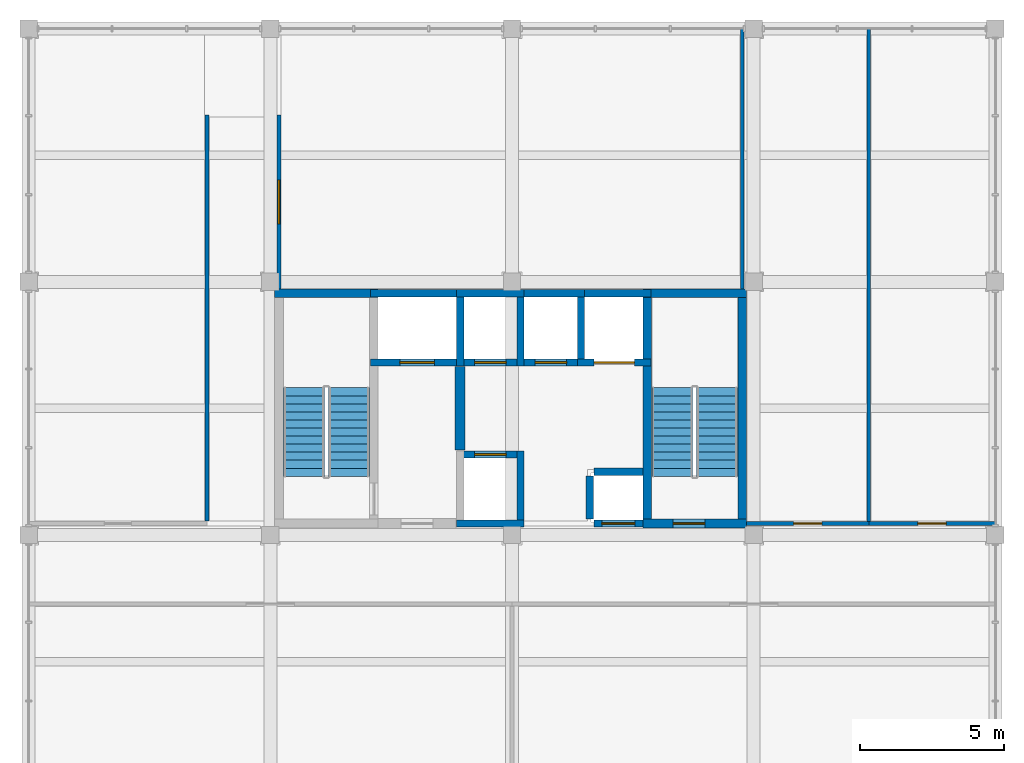
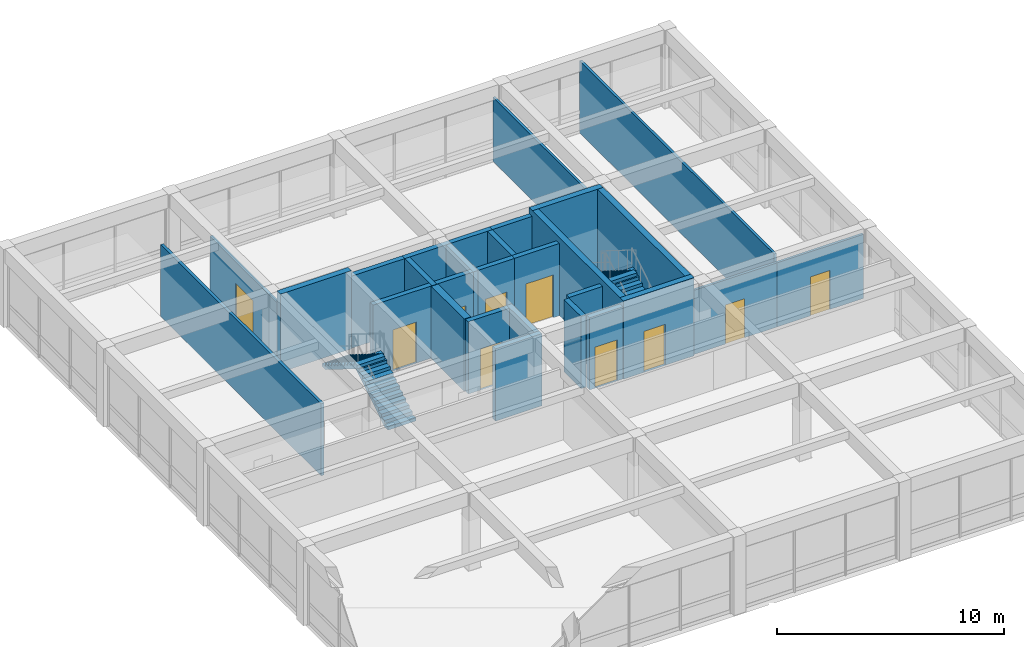
# One storey, part 10 of 14: 29 walls, 10 doors, 4 stair flights, 10 openings, 2 elements without a shape of their own.
"""IFC4 building model written with IfcOpenShell, lengths in metres."""

from ifc_helpers import new_model, si_unit, direction, frame, frame_2d, origin, place, context, subcontext, project, spatial, polyline, rectangle, outline, extrude, material, layer, layer_set, type_object, element, fill, aggregate, save


model = new_model("IFC4")

# Units and contexts
model_context = context("Model", 3, precision=1e-05, world=origin(), true_north=direction((0.0, 1.0)))
body_context = subcontext(model_context, "Body", "Model", "MODEL_VIEW")
ifc_project = project(units=[si_unit("LENGTHUNIT", "METRE"), si_unit("AREAUNIT", "SQUARE_METRE"), si_unit("VOLUMEUNIT", "CUBIC_METRE"), si_unit("PLANEANGLEUNIT", "RADIAN"), si_unit("MASSUNIT", "GRAM", prefix="KILO")], contexts=[model_context])

# Site, building, storey
site_placement = place(None, origin())
site = spatial("IfcSite", under=ifc_project, at=site_placement, CompositionType="ELEMENT")
building_placement = place(site_placement, origin())
building = spatial("IfcBuilding", under=site, at=building_placement, Name="Kemercrest Conservatory and Botanical Centre", CompositionType="ELEMENT")
storey_placement = place(building_placement, frame((0.0, 0.0, 63.800048828125)))
storey = spatial("IfcBuildingStorey", under=building, at=storey_placement, Name="L16", CompositionType="ELEMENT", Elevation=63.800048828125)

# Walls
ifc_material_1 = material(Name="Concrete C50/60", Category="concrete")
ifc_layer_1 = layer(ifc_material_1, 0.35009765625)
ifc_layer_set_1 = layer_set([ifc_layer_1], Name="Concrete C50/60")
wall_type_1 = type_object("IfcWallType", Name="CW-CORE", PredefinedType="SHEAR", material=ifc_layer_set_1)
wall_1_placement = place(storey_placement, frame((157.39990234375, 107.75, 0.0), z_axis=(0.0, 0.0, 1.0), x_axis=(0.0, 1.0, 0.0)))
element("IfcWall", 1, at=wall_1_placement, inside=storey, type_object=wall_type_1, Name="Firefighting lift lobby 2-hour separation shear wall", PredefinedType="SHEAR", context=body_context, shape_type="SweptSolid", body=[
    extrude(rectangle(XDim=2.89990234375, YDim=0.35009765625, at=frame_2d((1.449951171875, 0.0))), origin(), (0.0, 0.0, 1.0), 3.8798828125),
])
ifc_layer_2 = layer(ifc_material_1, 0.300048828125)
ifc_layer_set_2 = layer_set([ifc_layer_2], Name="Concrete C50/60")
wall_type_2 = type_object("IfcWallType", Name="CW-STAIR", PredefinedType="SHEAR", material=ifc_layer_set_2)
wall_2_placement = place(storey_placement, frame((150.949951171875, 113.199951171875, 0.0), z_axis=(0.0, 0.0, 1.0), x_axis=(1.0, 0.0, 0.0)))
element("IfcWall", 2, at=wall_2_placement, inside=storey, type_object=wall_type_2, Name="Stair core ST-V4A shear wall N", PredefinedType="SHEAR", context=body_context, shape_type="SweptSolid", body=[
    extrude(rectangle(XDim=3.60009765625, YDim=0.300048828125, at=frame_2d((1.800048828125, 0.0))), origin(), (0.0, 0.0, 1.0), 4.199951171875),
])

# Wall, opening, door
wall_3_placement = place(storey_placement, frame((163.75, 105.199951171875, 0.0), z_axis=(0.0, 0.0, 1.0), x_axis=(1.0, 0.0, 0.0)))
wall_3 = element("IfcWall", 3, at=wall_3_placement, inside=storey, type_object=wall_type_2, Name="Stair core ST-V4B shear wall S", PredefinedType="SHEAR", context=body_context, shape_type="SweptSolid", body=[
    extrude(rectangle(XDim=3.60009765625, YDim=0.300048828125, at=frame_2d((1.800048828125, 0.0))), origin(), (0.0, 0.0, 1.0), 4.199951171875),
])
opening_1_placement = place(wall_3_placement, frame((1.050048828125, 0.0, 0.0)))
opening_1 = element("IfcOpeningElement", 4, at=opening_1_placement, cuts=wall_3, Name="Opening D061", PredefinedType="OPENING", context=body_context, shape_type="SweptSolid", body=[
    extrude(rectangle(XDim=1.10009765625, YDim=2.199951171875, at=frame_2d((0.550048828125, 1.10009765625))), frame((0.0, 0.16015625, 0.0), z_axis=(0.0, -1.0, 0.0), x_axis=(1.0, 0.0, 0.0)), (0.0, 0.0, 1.0), 0.320068359375),
])
ifc_material_2 = material(Name="Powder-coated galvanized steel and fire-rated vision glass", Category="steel")
door_type_1 = type_object("IfcDoorType", Name="DT-FD90", OperationType="NOTDEFINED", PredefinedType="DOOR", material=ifc_material_2)
door_1_placement = place(opening_1_placement, origin())
door_1 = element("IfcDoor", 5, at=door_1_placement, inside=storey, type_object=door_type_1, Name="Exit stair ST-V4B fire door D061", OperationType="SINGLE_SWING_LEFT", OverallHeight=2.199951171875, OverallWidth=1.10009765625, PredefinedType="DOOR", context=body_context, shape_type="SweptSolid", body=[
    extrude(rectangle(XDim=1.10009765625, YDim=2.199951171875, at=frame_2d((0.550048828125, 1.10009765625))), frame((0.0, 0.02490234375, 0.0), z_axis=(0.0, -1.0, 0.0), x_axis=(1.0, 0.0, 0.0)), (0.0, 0.0, 1.0), 0.050048828125),
])
fill(opening_1, door_1)

# Walls
wall_4_placement = place(storey_placement, frame((163.75, 113.199951171875, 0.0), z_axis=(0.0, 0.0, 1.0), x_axis=(1.0, 0.0, 0.0)))
element("IfcWall", 6, at=wall_4_placement, inside=storey, type_object=wall_type_2, Name="Stair core ST-V4B shear wall N", PredefinedType="SHEAR", context=body_context, shape_type="SweptSolid", body=[
    extrude(rectangle(XDim=3.60009765625, YDim=0.300048828125, at=frame_2d((1.800048828125, 0.0))), origin(), (0.0, 0.0, 1.0), 4.199951171875),
])
for number, where, z_axis, x_axis, name in (
    (7, (163.89990234375, 105.050048828125, 0.0), (0.0, 0.0, 1.0), (0.0, 1.0, 0.0), "Stair core ST-V4B shear wall W"),
    (8, (167.199951171875, 105.050048828125, 0.0), (0.0, 0.0, 1.0), (0.0, 1.0, 0.0), "Stair core ST-V4B shear wall E"),
):
    element("IfcWall", number, at=place(storey_placement, frame(where, z_axis=z_axis, x_axis=x_axis)), inside=storey, type_object=wall_type_2, Name=name, PredefinedType="SHEAR", context=body_context, shape_type="SweptSolid", body=[
        extrude(rectangle(XDim=8.300048828125, YDim=0.300048828125, at=frame_2d((4.14990234375, 0.0))), origin(), (0.0, 0.0, 1.0), 4.199951171875),
    ])

# Wall, opening, door
ifc_material_3 = material(Name="Moisture-resistant gypsum board partition", Category="gypsum")
ifc_layer_3 = layer(ifc_material_3, 0.125)
ifc_layer_set_3 = layer_set([ifc_layer_3], Name="Moisture-resistant gypsum board partition")
wall_type_3 = type_object("IfcWallType", Name="W-PART125", PredefinedType="PARTITIONING", material=ifc_layer_set_3)
wall_5_placement = place(storey_placement, frame((167.35498046875, 105.199951171875, 0.0), z_axis=(0.0, 0.0, 1.0), x_axis=(1.0, 0.0, 0.0)))
wall_5 = element("IfcWall", 9, at=wall_5_placement, inside=storey, type_object=wall_type_3, Name="Interior partition W-PART125 #315", PredefinedType="PARTITIONING", context=body_context, shape_type="SweptSolid", body=[
    extrude(rectangle(XDim=4.2451171875, YDim=0.125, at=frame_2d((2.12255859375, 0.0))), origin(), (0.0, 0.0, 1.0), 3.445068359375),
])
opening_2_placement = place(wall_5_placement, frame((1.632568359375, 0.0, 0.0)))
opening_2 = element("IfcOpeningElement", 10, at=opening_2_placement, cuts=wall_5, Name="Opening D286", PredefinedType="OPENING", context=body_context, shape_type="SweptSolid", body=[
    extrude(rectangle(XDim=0.97998046875, YDim=2.10009765625, at=frame_2d((0.489990234375, 1.050048828125))), frame((0.0, 0.072509765625, 0.0), z_axis=(0.0, -1.0, 0.0), x_axis=(1.0, 0.0, 0.0)), (0.0, 0.0, 1.0), 0.14501953125),
])
ifc_material_4 = material(Name="FSC solid-core white oak veneer and anodized aluminium frame", Category="aluminium")
door_type_2 = type_object("IfcDoorType", Name="DT-02", OperationType="NOTDEFINED", PredefinedType="DOOR", material=ifc_material_4)
door_2_placement = place(opening_2_placement, origin())
door_2 = element("IfcDoor", 11, at=door_2_placement, inside=storey, type_object=door_type_2, Name="Public Washroom door D286", OperationType="SINGLE_SWING_RIGHT", OverallHeight=2.10009765625, OverallWidth=0.97998046875, PredefinedType="DOOR", context=body_context, shape_type="SweptSolid", body=[
    extrude(rectangle(XDim=0.97998046875, YDim=2.10009765625, at=frame_2d((0.489990234375, 1.050048828125))), frame((0.0, 0.02490234375, 0.0), z_axis=(0.0, -1.0, 0.0), x_axis=(1.0, 0.0, 0.0)), (0.0, 0.0, 1.0), 0.050048828125),
])
fill(opening_2, door_2)

wall_6_placement = place(storey_placement, frame((171.60009765625, 105.199951171875, 0.0), z_axis=(0.0, 0.0, 1.0), x_axis=(1.0, 0.0, 0.0)))
wall_6 = element("IfcWall", 12, at=wall_6_placement, inside=storey, type_object=wall_type_3, Name="Interior partition W-PART125 #316", PredefinedType="PARTITIONING", context=body_context, shape_type="SweptSolid", body=[
    extrude(rectangle(XDim=4.39990234375, YDim=0.125, at=frame_2d((2.199951171875, 0.0))), origin(), (0.0, 0.0, 1.0), 3.445068359375),
])
opening_3_placement = place(wall_6_placement, frame((1.7099609375, 0.0, 0.0)))
opening_3 = element("IfcOpeningElement", 13, at=opening_3_placement, cuts=wall_6, Name="Opening D287", PredefinedType="OPENING", context=body_context, shape_type="SweptSolid", body=[
    extrude(rectangle(XDim=0.97998046875, YDim=2.10009765625, at=frame_2d((0.489990234375, 1.050048828125))), frame((0.0, 0.072509765625, 0.0), z_axis=(0.0, -1.0, 0.0), x_axis=(1.0, 0.0, 0.0)), (0.0, 0.0, 1.0), 0.14501953125),
])
door_3_placement = place(opening_3_placement, origin())
door_3 = element("IfcDoor", 14, at=door_3_placement, inside=storey, type_object=door_type_2, Name="Accessible Washroom door D287", OperationType="SINGLE_SWING_LEFT", OverallHeight=2.10009765625, OverallWidth=0.97998046875, PredefinedType="DOOR", context=body_context, shape_type="SweptSolid", body=[
    extrude(rectangle(XDim=0.97998046875, YDim=2.10009765625, at=frame_2d((0.489990234375, 1.050048828125))), frame((0.0, 0.02490234375, 0.0), z_axis=(0.0, -1.0, 0.0), x_axis=(1.0, 0.0, 0.0)), (0.0, 0.0, 1.0), 0.050048828125),
])
fill(opening_3, door_3)

# Walls
wall_7_placement = place(storey_placement, frame((167.199951171875, 113.35498046875, 0.0), z_axis=(0.0, 0.0, 1.0), x_axis=(0.0, 1.0, 0.0)))
element("IfcWall", 15, at=wall_7_placement, inside=storey, type_object=wall_type_3, Name="Interior partition W-PART125 #320", PredefinedType="PARTITIONING", context=body_context, shape_type="SweptSolid", body=[
    extrude(rectangle(XDim=9.044921875, YDim=0.125, at=frame_2d((4.5224609375, 0.0))), origin(), (0.0, 0.0, 1.0), 3.445068359375),
])
wall_8_placement = place(storey_placement, frame((171.60009765625, 105.267578125, 0.0), z_axis=(0.0, 0.0, 1.0), x_axis=(0.0, 1.0, 0.0)))
element("IfcWall", 16, at=wall_8_placement, inside=storey, type_object=wall_type_3, Name="Interior partition W-PART125 #321", PredefinedType="PARTITIONING", context=body_context, shape_type="SweptSolid", body=[
    extrude(rectangle(XDim=17.13232421875, YDim=0.125, at=frame_2d((8.566162109375, 0.0))), origin(), (0.0, 0.0, 1.0), 3.864990234375),
])
ifc_material_5 = material(Name="Steel-stud gypsum board partition", Category="steel")
ifc_layer_4 = layer(ifc_material_5, 0.14990234375)
ifc_layer_set_4 = layer_set([ifc_layer_4], Name="Steel-stud gypsum board partition")
wall_type_4 = type_object("IfcWallType", Name="W-PART150", PredefinedType="PARTITIONING", material=ifc_layer_set_4)
wall_9_placement = place(storey_placement, frame((148.60009765625, 105.280029296875, 0.0), z_axis=(0.0, 0.0, 1.0), x_axis=(0.0, 1.0, 0.0)))
element("IfcWall", 17, at=wall_9_placement, inside=storey, type_object=wall_type_4, Name="Interior partition W-PART150 #317", PredefinedType="PARTITIONING", context=body_context, shape_type="SweptSolid", body=[
    extrude(rectangle(XDim=14.119873046875, YDim=0.14990234375, at=frame_2d((7.06005859375, 0.0))), origin(), (0.0, 0.0, 1.0), 3.864990234375),
])

# Wall, opening, door
wall_10_placement = place(storey_placement, frame((151.10009765625, 113.35498046875, 0.0), z_axis=(0.0, 0.0, 1.0), x_axis=(0.0, 1.0, 0.0)))
wall_10 = element("IfcWall", 18, at=wall_10_placement, inside=storey, type_object=wall_type_4, Name="Interior partition W-PART150 #318", PredefinedType="PARTITIONING", context=body_context, shape_type="SweptSolid", body=[
    extrude(rectangle(XDim=6.044921875, YDim=0.14990234375, at=frame_2d((3.0224609375, 0.0))), origin(), (0.0, 0.0, 1.0), 3.445068359375),
])
opening_4_placement = place(wall_10_placement, frame((2.262451171875, 0.0, 0.0)))
opening_4 = element("IfcOpeningElement", 19, at=opening_4_placement, cuts=wall_10, Name="Opening D288", PredefinedType="OPENING", context=body_context, shape_type="SweptSolid", body=[
    extrude(rectangle(XDim=1.52001953125, YDim=2.280029296875, at=frame_2d((0.760009765625, 1.14013671875))), frame((0.0, 0.0849609375, 0.0), z_axis=(0.0, -1.0, 0.0), x_axis=(1.0, 0.0, 0.0)), (0.0, 0.0, 1.0), 0.169921875),
])
door_type_3 = type_object("IfcDoorType", Name="DT-20", OperationType="DOUBLE_DOOR_SINGLE_SWING", PredefinedType="DOOR", material=ifc_material_4)
door_4_placement = place(opening_4_placement, origin())
door_4 = element("IfcDoor", 20, at=door_4_placement, inside=storey, type_object=door_type_3, Name="Visitor Orientation Gallery door D288", OperationType="DOUBLE_DOOR_SINGLE_SWING", OverallHeight=2.280029296875, OverallWidth=1.52001953125, PredefinedType="DOOR", context=body_context, shape_type="SweptSolid", body=[
    extrude(rectangle(XDim=1.52001953125, YDim=2.280029296875, at=frame_2d((0.760009765625, 1.14013671875))), frame((0.0, 0.02490234375, 0.0), z_axis=(0.0, -1.0, 0.0), x_axis=(1.0, 0.0, 0.0)), (0.0, 0.0, 1.0), 0.050048828125),
])
fill(opening_4, door_4)

ifc_material_6 = material(Name="Concrete C40/50", Category="concrete")
ifc_layer_5 = layer(ifc_material_6, 0.25)
ifc_layer_set_5 = layer_set([ifc_layer_5], Name="Concrete C40/50")
wall_type_5 = type_object("IfcWallType", Name="W-SHFT250", PredefinedType="SOLIDWALL", material=ifc_layer_set_5)
wall_11_placement = place(storey_placement, frame((154.27490234375, 110.800048828125, 0.0), z_axis=(0.0, 0.0, 1.0), x_axis=(1.0, 0.0, 0.0)))
wall_11 = element("IfcWall", 21, at=wall_11_placement, inside=storey, type_object=wall_type_5, Name="Elevator LF-FF1 shaft wall south", PredefinedType="SOLIDWALL", context=body_context, shape_type="SweptSolid", body=[
    extrude(rectangle(XDim=3.25, YDim=0.25, at=frame_2d((1.625, 0.0))), origin(), (0.0, 0.0, 1.0), 3.8798828125),
])
opening_5_placement = place(wall_11_placement, frame((1.02490234375, 0.0, 0.0)))
opening_5 = element("IfcOpeningElement", 22, at=opening_5_placement, cuts=wall_11, Name="Opening LD-018", PredefinedType="OPENING", context=body_context, shape_type="SweptSolid", body=[
    extrude(rectangle(XDim=1.199951171875, YDim=2.199951171875, at=frame_2d((0.60009765625, 1.10009765625))), frame((0.0, 0.135009765625, 0.0), z_axis=(0.0, -1.0, 0.0), x_axis=(1.0, 0.0, 0.0)), (0.0, 0.0, 1.0), 0.27001953125),
])
door_type_4 = type_object("IfcDoorType", Name="DT-LD02", OperationType="SLIDING_TO_LEFT", PredefinedType="DOOR", material=ifc_material_2)
door_5_placement = place(opening_5_placement, origin())
door_5 = element("IfcDoor", 23, at=door_5_placement, inside=storey, type_object=door_type_4, Name="Elevator LF-FF1 sliding landing door LD-018", OperationType="SLIDING_TO_LEFT", OverallHeight=2.199951171875, OverallWidth=1.199951171875, PredefinedType="DOOR", context=body_context, shape_type="SweptSolid", body=[
    extrude(rectangle(XDim=1.199951171875, YDim=2.199951171875, at=frame_2d((0.60009765625, 1.10009765625))), frame((0.0, 0.02490234375, 0.0), z_axis=(0.0, -1.0, 0.0), x_axis=(1.0, 0.0, 0.0)), (0.0, 0.0, 1.0), 0.050048828125),
])
fill(opening_5, door_5)

# Walls
wall_12_placement = place(storey_placement, frame((154.27490234375, 113.199951171875, 0.0), z_axis=(0.0, 0.0, 1.0), x_axis=(1.0, 0.0, 0.0)))
element("IfcWall", 24, at=wall_12_placement, inside=storey, type_object=wall_type_5, Name="Elevator LF-FF1 shaft wall north", PredefinedType="SOLIDWALL", context=body_context, shape_type="SweptSolid", body=[
    extrude(rectangle(XDim=3.25, YDim=0.25, at=frame_2d((1.625, 0.0))), origin(), (0.0, 0.0, 1.0), 3.8798828125),
])
wall_13_placement = place(storey_placement, frame((157.39990234375, 110.675048828125, 0.0), z_axis=(0.0, 0.0, 1.0), x_axis=(0.0, 1.0, 0.0)))
element("IfcWall", 25, at=wall_13_placement, inside=storey, type_object=wall_type_5, Name="Elevator LF-FF1 shaft wall east", PredefinedType="SOLIDWALL", context=body_context, shape_type="SweptSolid", body=[
    extrude(rectangle(XDim=2.64990234375, YDim=0.25, at=frame_2d((1.324951171875, 0.0))), origin(), (0.0, 0.0, 1.0), 3.8798828125),
])

# Wall, opening, door
wall_14_placement = place(storey_placement, frame((157.27490234375, 110.800048828125, 0.0), z_axis=(0.0, 0.0, 1.0), x_axis=(1.0, 0.0, 0.0)))
wall_14 = element("IfcWall", 26, at=wall_14_placement, inside=storey, type_object=wall_type_5, Name="Elevator LF-P1 shaft wall south", PredefinedType="SOLIDWALL", context=body_context, shape_type="SweptSolid", body=[
    extrude(rectangle(XDim=2.35009765625, YDim=0.25, at=frame_2d((1.175048828125, 0.0))), origin(), (0.0, 0.0, 1.0), 3.8798828125),
])
opening_6_placement = place(wall_14_placement, frame((0.625, 0.0, 0.0)))
opening_6 = element("IfcOpeningElement", 27, at=opening_6_placement, cuts=wall_14, Name="Opening LD-037", PredefinedType="OPENING", context=body_context, shape_type="SweptSolid", body=[
    extrude(rectangle(XDim=1.10009765625, YDim=2.199951171875, at=frame_2d((0.550048828125, 1.10009765625))), frame((0.0, 0.135009765625, 0.0), z_axis=(0.0, -1.0, 0.0), x_axis=(1.0, 0.0, 0.0)), (0.0, 0.0, 1.0), 0.27001953125),
])
door_type_5 = type_object("IfcDoorType", Name="DT-LD01", OperationType="SLIDING_TO_LEFT", PredefinedType="DOOR", material=ifc_material_2)
door_6_placement = place(opening_6_placement, origin())
door_6 = element("IfcDoor", 28, at=door_6_placement, inside=storey, type_object=door_type_5, Name="Elevator LF-P1 sliding landing door LD-037", OperationType="SLIDING_TO_LEFT", OverallHeight=2.199951171875, OverallWidth=1.10009765625, PredefinedType="DOOR", context=body_context, shape_type="SweptSolid", body=[
    extrude(rectangle(XDim=1.10009765625, YDim=2.199951171875, at=frame_2d((0.550048828125, 1.10009765625))), frame((0.0, 0.02490234375, 0.0), z_axis=(0.0, -1.0, 0.0), x_axis=(1.0, 0.0, 0.0)), (0.0, 0.0, 1.0), 0.050048828125),
])
fill(opening_6, door_6)

# Walls
wall_15_placement = place(storey_placement, frame((157.27490234375, 113.199951171875, 0.0), z_axis=(0.0, 0.0, 1.0), x_axis=(1.0, 0.0, 0.0)))
element("IfcWall", 29, at=wall_15_placement, inside=storey, type_object=wall_type_5, Name="Elevator LF-P1 shaft wall north", PredefinedType="SOLIDWALL", context=body_context, shape_type="SweptSolid", body=[
    extrude(rectangle(XDim=2.35009765625, YDim=0.25, at=frame_2d((1.175048828125, 0.0))), origin(), (0.0, 0.0, 1.0), 3.8798828125),
])
wall_16_placement = place(storey_placement, frame((159.5, 110.675048828125, 0.0), z_axis=(0.0, 0.0, 1.0), x_axis=(0.0, 1.0, 0.0)))
element("IfcWall", 30, at=wall_16_placement, inside=storey, type_object=wall_type_5, Name="Elevator LF-P1 shaft wall east", PredefinedType="SOLIDWALL", context=body_context, shape_type="SweptSolid", body=[
    extrude(rectangle(XDim=2.64990234375, YDim=0.25, at=frame_2d((1.324951171875, 0.0))), origin(), (0.0, 0.0, 1.0), 3.8798828125),
])

# Wall, opening, door
wall_17_placement = place(storey_placement, frame((159.375, 110.800048828125, 0.0), z_axis=(0.0, 0.0, 1.0), x_axis=(1.0, 0.0, 0.0)))
wall_17 = element("IfcWall", 31, at=wall_17_placement, inside=storey, type_object=wall_type_5, Name="Elevator LF-P2 shaft wall south", PredefinedType="SOLIDWALL", context=body_context, shape_type="SweptSolid", body=[
    extrude(rectangle(XDim=2.35009765625, YDim=0.25, at=frame_2d((1.175048828125, 0.0))), origin(), (0.0, 0.0, 1.0), 3.8798828125),
])
opening_7_placement = place(wall_17_placement, frame((0.625, 0.0, 0.0)))
opening_7 = element("IfcOpeningElement", 32, at=opening_7_placement, cuts=wall_17, Name="Opening LD-056", PredefinedType="OPENING", context=body_context, shape_type="SweptSolid", body=[
    extrude(rectangle(XDim=1.10009765625, YDim=2.199951171875, at=frame_2d((0.550048828125, 1.10009765625))), frame((0.0, 0.135009765625, 0.0), z_axis=(0.0, -1.0, 0.0), x_axis=(1.0, 0.0, 0.0)), (0.0, 0.0, 1.0), 0.27001953125),
])
door_7_placement = place(opening_7_placement, origin())
door_7 = element("IfcDoor", 33, at=door_7_placement, inside=storey, type_object=door_type_5, Name="Elevator LF-P2 sliding landing door LD-056", OperationType="SLIDING_TO_LEFT", OverallHeight=2.199951171875, OverallWidth=1.10009765625, PredefinedType="DOOR", context=body_context, shape_type="SweptSolid", body=[
    extrude(rectangle(XDim=1.10009765625, YDim=2.199951171875, at=frame_2d((0.550048828125, 1.10009765625))), frame((0.0, 0.02490234375, 0.0), z_axis=(0.0, -1.0, 0.0), x_axis=(1.0, 0.0, 0.0)), (0.0, 0.0, 1.0), 0.050048828125),
])
fill(opening_7, door_7)

# Walls
wall_18_placement = place(storey_placement, frame((159.375, 113.199951171875, 0.0), z_axis=(0.0, 0.0, 1.0), x_axis=(1.0, 0.0, 0.0)))
element("IfcWall", 34, at=wall_18_placement, inside=storey, type_object=wall_type_5, Name="Elevator LF-P2 shaft wall north", PredefinedType="SOLIDWALL", context=body_context, shape_type="SweptSolid", body=[
    extrude(rectangle(XDim=2.35009765625, YDim=0.25, at=frame_2d((1.175048828125, 0.0))), origin(), (0.0, 0.0, 1.0), 3.8798828125),
])
wall_19_placement = place(storey_placement, frame((161.60009765625, 110.675048828125, 0.0), z_axis=(0.0, 0.0, 1.0), x_axis=(0.0, 1.0, 0.0)))
element("IfcWall", 35, at=wall_19_placement, inside=storey, type_object=wall_type_5, Name="Elevator LF-P2 shaft wall east", PredefinedType="SOLIDWALL", context=body_context, shape_type="SweptSolid", body=[
    extrude(rectangle(XDim=2.64990234375, YDim=0.25, at=frame_2d((1.324951171875, 0.0))), origin(), (0.0, 0.0, 1.0), 3.8798828125),
])
wall_20_placement = place(storey_placement, frame((157.27490234375, 105.199951171875, 0.0), z_axis=(0.0, 0.0, 1.0), x_axis=(1.0, 0.0, 0.0)))
element("IfcWall", 36, at=wall_20_placement, inside=storey, type_object=wall_type_5, Name="Elevator LF-P3 shaft wall south", PredefinedType="SOLIDWALL", context=body_context, shape_type="SweptSolid", body=[
    extrude(rectangle(XDim=2.35009765625, YDim=0.25, at=frame_2d((1.175048828125, 0.0))), origin(), (0.0, 0.0, 1.0), 3.8798828125),
])

# Wall, opening, door
wall_21_placement = place(storey_placement, frame((157.27490234375, 107.60009765625, 0.0), z_axis=(0.0, 0.0, 1.0), x_axis=(1.0, 0.0, 0.0)))
wall_21 = element("IfcWall", 37, at=wall_21_placement, inside=storey, type_object=wall_type_5, Name="Elevator LF-P3 shaft wall north", PredefinedType="SOLIDWALL", context=body_context, shape_type="SweptSolid", body=[
    extrude(rectangle(XDim=2.35009765625, YDim=0.25, at=frame_2d((1.175048828125, 0.0))), origin(), (0.0, 0.0, 1.0), 3.8798828125),
])
opening_8_placement = place(wall_21_placement, frame((0.625, 0.0, 0.0)))
opening_8 = element("IfcOpeningElement", 38, at=opening_8_placement, cuts=wall_21, Name="Opening LD-074", PredefinedType="OPENING", context=body_context, shape_type="SweptSolid", body=[
    extrude(rectangle(XDim=1.10009765625, YDim=2.199951171875, at=frame_2d((0.550048828125, 1.10009765625))), frame((0.0, 0.135009765625, 0.0), z_axis=(0.0, -1.0, 0.0), x_axis=(1.0, 0.0, 0.0)), (0.0, 0.0, 1.0), 0.27001953125),
])
door_8_placement = place(opening_8_placement, origin())
door_8 = element("IfcDoor", 39, at=door_8_placement, inside=storey, type_object=door_type_5, Name="Elevator LF-P3 sliding landing door LD-074", OperationType="SLIDING_TO_LEFT", OverallHeight=2.199951171875, OverallWidth=1.10009765625, PredefinedType="DOOR", context=body_context, shape_type="SweptSolid", body=[
    extrude(rectangle(XDim=1.10009765625, YDim=2.199951171875, at=frame_2d((0.550048828125, 1.10009765625))), frame((0.0, 0.02490234375, 0.0), z_axis=(0.0, -1.0, 0.0), x_axis=(1.0, 0.0, 0.0)), (0.0, 0.0, 1.0), 0.050048828125),
])
fill(opening_8, door_8)

# Wall
wall_22_placement = place(storey_placement, frame((159.5, 105.074951171875, 0.0), z_axis=(0.0, 0.0, 1.0), x_axis=(0.0, 1.0, 0.0)))
element("IfcWall", 40, at=wall_22_placement, inside=storey, type_object=wall_type_5, Name="Elevator LF-P3 shaft wall east", PredefinedType="SOLIDWALL", context=body_context, shape_type="SweptSolid", body=[
    extrude(rectangle(XDim=2.650146484375, YDim=0.25, at=frame_2d((1.3251953125, 0.0))), origin(), (0.0, 0.0, 1.0), 3.8798828125),
])

# Wall, opening, door
wall_23_placement = place(storey_placement, frame((161.47509765625, 110.800048828125, 0.0), z_axis=(0.0, 0.0, 1.0), x_axis=(1.0, 0.0, 0.0)))
wall_23 = element("IfcWall", 41, at=wall_23_placement, inside=storey, type_object=wall_type_5, Name="Elevator LF-G1 shaft wall south", PredefinedType="SOLIDWALL", context=body_context, shape_type="SweptSolid", body=[
    extrude(rectangle(XDim=2.5498046875, YDim=0.25, at=frame_2d((1.27490234375, 0.0))), origin(), (0.0, 0.0, 1.0), 3.8798828125),
])
opening_9_placement = place(wall_23_placement, frame((0.574951171875, 0.0, 0.0)))
opening_9 = element("IfcOpeningElement", 42, at=opening_9_placement, cuts=wall_23, Name="Opening LD-092", PredefinedType="OPENING", context=body_context, shape_type="SweptSolid", body=[
    extrude(rectangle(XDim=1.39990234375, YDim=2.300048828125, at=frame_2d((0.699951171875, 1.14990234375))), frame((0.0, 0.135009765625, 0.0), z_axis=(0.0, -1.0, 0.0), x_axis=(1.0, 0.0, 0.0)), (0.0, 0.0, 1.0), 0.27001953125),
])
door_type_6 = type_object("IfcDoorType", Name="DT-LD03", OperationType="SLIDING_TO_LEFT", PredefinedType="DOOR", material=ifc_material_2)
door_9_placement = place(opening_9_placement, origin())
door_9 = element("IfcDoor", 43, at=door_9_placement, inside=storey, type_object=door_type_6, Name="Elevator LF-G1 sliding landing door LD-092", OperationType="SLIDING_TO_LEFT", OverallHeight=2.300048828125, OverallWidth=1.39990234375, PredefinedType="DOOR", context=body_context, shape_type="SweptSolid", body=[
    extrude(rectangle(XDim=1.39990234375, YDim=2.300048828125, at=frame_2d((0.699951171875, 1.14990234375))), frame((0.0, 0.02490234375, 0.0), z_axis=(0.0, -1.0, 0.0), x_axis=(1.0, 0.0, 0.0)), (0.0, 0.0, 1.0), 0.050048828125),
])
fill(opening_9, door_9)

# Walls
wall_24_placement = place(storey_placement, frame((161.47509765625, 113.199951171875, 0.0), z_axis=(0.0, 0.0, 1.0), x_axis=(1.0, 0.0, 0.0)))
element("IfcWall", 44, at=wall_24_placement, inside=storey, type_object=wall_type_5, Name="Elevator LF-G1 shaft wall north", PredefinedType="SOLIDWALL", context=body_context, shape_type="SweptSolid", body=[
    extrude(rectangle(XDim=2.5498046875, YDim=0.25, at=frame_2d((1.27490234375, 0.0))), origin(), (0.0, 0.0, 1.0), 3.8798828125),
])
wall_25_placement = place(storey_placement, frame((161.89990234375, 105.35009765625, 0.0), z_axis=(0.0, 0.0, 1.0), x_axis=(0.0, 1.0, 0.0)))
element("IfcWall", 45, at=wall_25_placement, inside=storey, type_object=wall_type_5, Name="Core service riser shaft wall W", PredefinedType="SOLIDWALL", context=body_context, shape_type="SweptSolid", body=[
    extrude(rectangle(XDim=1.5, YDim=0.25, at=frame_2d((0.75, 0.0))), origin(), (0.0, 0.0, 1.0), 3.8798828125),
])
wall_26_placement = place(storey_placement, frame((162.050048828125, 107.0, 0.0), z_axis=(0.0, 0.0, 1.0), x_axis=(1.0, 0.0, 0.0)))
element("IfcWall", 46, at=wall_26_placement, inside=storey, type_object=wall_type_5, Name="Core service riser shaft wall N", PredefinedType="SOLIDWALL", context=body_context, shape_type="SweptSolid", body=[
    extrude(rectangle(XDim=1.699951171875, YDim=0.25, at=frame_2d((0.85009765625, 0.0))), origin(), (0.0, 0.0, 1.0), 3.8798828125),
])

# Wall, opening, door
wall_27_placement = place(storey_placement, frame((162.050048828125, 105.199951171875, 0.0), z_axis=(0.0, 0.0, 1.0), x_axis=(1.0, 0.0, 0.0)))
wall_27 = element("IfcWall", 47, at=wall_27_placement, inside=storey, type_object=wall_type_5, Name="Core service riser shaft wall S", PredefinedType="SOLIDWALL", context=body_context, shape_type="SweptSolid", body=[
    extrude(rectangle(XDim=1.699951171875, YDim=0.25, at=frame_2d((0.85009765625, 0.0))), origin(), (0.0, 0.0, 1.0), 3.8798828125),
])
opening_10_placement = place(wall_27_placement, frame((0.27001953125, 0.0, 0.0)))
opening_10 = element("IfcOpeningElement", 48, at=opening_10_placement, cuts=wall_27, Name="Opening D104", PredefinedType="OPENING", context=body_context, shape_type="SweptSolid", body=[
    extrude(rectangle(XDim=1.14990234375, YDim=2.199951171875, at=frame_2d((0.574951171875, 1.10009765625))), frame((0.0, 0.135009765625, 0.0), z_axis=(0.0, -1.0, 0.0), x_axis=(1.0, 0.0, 0.0)), (0.0, 0.0, 1.0), 0.27001953125),
])
door_type_7 = type_object("IfcDoorType", Name="DT-FD60", OperationType="NOTDEFINED", PredefinedType="DOOR", material=ifc_material_2)
door_10_placement = place(opening_10_placement, origin())
door_10 = element("IfcDoor", 49, at=door_10_placement, inside=storey, type_object=door_type_7, Name="Service riser access fire door D104", OperationType="SINGLE_SWING_RIGHT", OverallHeight=2.199951171875, OverallWidth=1.14990234375, PredefinedType="DOOR", context=body_context, shape_type="SweptSolid", body=[
    extrude(rectangle(XDim=1.14990234375, YDim=2.199951171875, at=frame_2d((0.574951171875, 1.10009765625))), frame((0.0, 0.02490234375, 0.0), z_axis=(0.0, -1.0, 0.0), x_axis=(1.0, 0.0, 0.0)), (0.0, 0.0, 1.0), 0.050048828125),
])
fill(opening_10, door_10)

# Stair, stair flights
stair_type = type_object("IfcStairType", Name="ST-142-42", PredefinedType="HALF_TURN_STAIR", material=ifc_material_6)
stair_1_placement = place(storey_placement, origin())
stair_1 = element("IfcStair", 50, at=stair_1_placement, inside=storey, type_object=stair_type, Name="L16 Exit stair ST-V4A", PredefinedType="HALF_TURN_STAIR")
stair_flight_type = type_object("IfcStairFlightType", Name="FL-142-42", PredefinedType="STRAIGHT", material=ifc_material_6)
stair_flight_1_placement = place(storey_placement, frame((153.530029296875, 106.840087890625, 0.0), z_axis=(0.0, 0.0, 1.0), x_axis=(0.0, 1.0, 0.0)))
stair_flight_1 = element("IfcStairFlight", 51, at=stair_flight_1_placement, type_object=stair_flight_type, Name="ST-V4A flight 1", NumberOfRisers=12, NumberOfTreads=11, PredefinedType="STRAIGHT", RiserHeight=0.175, TreadLength=0.28, context=body_context, shape_type="SweptSolid", body=[
    extrude(outline(polyline([(0.0, 0.0), (0.0, 0.175048828125), (0.280029296875, 0.175048828125), (0.280029296875, 0.35009765625), (0.56005859375, 0.35009765625), (0.56005859375, 0.52490234375), (0.840087890625, 0.52490234375), (0.840087890625, 0.699951171875), (1.1201171875, 0.699951171875), (1.1201171875, 0.875), (1.39990234375, 0.875), (1.39990234375, 1.050048828125), (1.679931640625, 1.050048828125), (1.679931640625, 1.22509765625), (1.9599609375, 1.22509765625), (1.9599609375, 1.39990234375), (2.239990234375, 1.39990234375), (2.239990234375, 1.574951171875), (2.52001953125, 1.574951171875), (2.52001953125, 1.75), (2.800048828125, 1.75), (2.800048828125, 1.925048828125), (3.080078125, 1.925048828125), (3.080078125, 2.10009765625), (3.080078125, 1.748291015625), (0.28271484375, 0.0), (0.0, 0.0)])), frame((0.0, 0.7099609375, 0.0), z_axis=(0.0, -1.0, 0.0), x_axis=(1.0, 0.0, 0.0)), (0.0, 0.0, 1.0), 1.419921875),
])
stair_flight_2_placement = place(storey_placement, frame((151.969970703125, 109.919921875, 2.099853515625), z_axis=(0.0, 0.0, 1.0), x_axis=(0.0, -1.0, 0.0)))
stair_flight_2 = element("IfcStairFlight", 52, at=stair_flight_2_placement, type_object=stair_flight_type, Name="ST-V4A flight 2", NumberOfRisers=12, NumberOfTreads=11, PredefinedType="STRAIGHT", RiserHeight=0.175, TreadLength=0.28, context=body_context, shape_type="SweptSolid", body=[
    extrude(outline(polyline([(0.0, 0.0), (0.0, 0.175048828125), (0.280029296875, 0.175048828125), (0.280029296875, 0.35009765625), (0.56005859375, 0.35009765625), (0.56005859375, 0.52490234375), (0.840087890625, 0.52490234375), (0.840087890625, 0.699951171875), (1.1201171875, 0.699951171875), (1.1201171875, 0.875), (1.39990234375, 0.875), (1.39990234375, 1.050048828125), (1.679931640625, 1.050048828125), (1.679931640625, 1.22509765625), (1.9599609375, 1.22509765625), (1.9599609375, 1.39990234375), (2.239990234375, 1.39990234375), (2.239990234375, 1.574951171875), (2.52001953125, 1.574951171875), (2.52001953125, 1.75), (2.800048828125, 1.75), (2.800048828125, 1.925048828125), (3.080078125, 1.925048828125), (3.080078125, 2.10009765625), (3.080078125, 1.748291015625), (0.28271484375, 0.0), (0.0, 0.0)])), frame((0.0, 0.7099609375, 0.0), z_axis=(0.0, -1.0, 0.0), x_axis=(1.0, 0.0, 0.0)), (0.0, 0.0, 1.0), 1.419921875),
])
aggregate(stair_1, [stair_flight_1, stair_flight_2])

stair_2_placement = place(storey_placement, origin())
stair_2 = element("IfcStair", 53, at=stair_2_placement, inside=storey, type_object=stair_type, Name="L16 Exit stair ST-V4B", PredefinedType="HALF_TURN_STAIR")
stair_flight_3_placement = place(storey_placement, frame((166.330078125, 106.840087890625, 0.0), z_axis=(0.0, 0.0, 1.0), x_axis=(0.0, 1.0, 0.0)))
stair_flight_3 = element("IfcStairFlight", 54, at=stair_flight_3_placement, type_object=stair_flight_type, Name="ST-V4B flight 1", NumberOfRisers=12, NumberOfTreads=11, PredefinedType="STRAIGHT", RiserHeight=0.175, TreadLength=0.28, context=body_context, shape_type="SweptSolid", body=[
    extrude(outline(polyline([(0.0, 0.0), (0.0, 0.175048828125), (0.280029296875, 0.175048828125), (0.280029296875, 0.35009765625), (0.56005859375, 0.35009765625), (0.56005859375, 0.52490234375), (0.840087890625, 0.52490234375), (0.840087890625, 0.699951171875), (1.1201171875, 0.699951171875), (1.1201171875, 0.875), (1.39990234375, 0.875), (1.39990234375, 1.050048828125), (1.679931640625, 1.050048828125), (1.679931640625, 1.22509765625), (1.9599609375, 1.22509765625), (1.9599609375, 1.39990234375), (2.239990234375, 1.39990234375), (2.239990234375, 1.574951171875), (2.52001953125, 1.574951171875), (2.52001953125, 1.75), (2.800048828125, 1.75), (2.800048828125, 1.925048828125), (3.080078125, 1.925048828125), (3.080078125, 2.10009765625), (3.080078125, 1.748291015625), (0.28271484375, 0.0), (0.0, 0.0)])), frame((0.0, 0.7099609375, 0.0), z_axis=(0.0, -1.0, 0.0), x_axis=(1.0, 0.0, 0.0)), (0.0, 0.0, 1.0), 1.419921875),
])
stair_flight_4_placement = place(storey_placement, frame((164.77001953125, 109.919921875, 2.099853515625), z_axis=(0.0, 0.0, 1.0), x_axis=(0.0, -1.0, 0.0)))
stair_flight_4 = element("IfcStairFlight", 55, at=stair_flight_4_placement, type_object=stair_flight_type, Name="ST-V4B flight 2", NumberOfRisers=12, NumberOfTreads=11, PredefinedType="STRAIGHT", RiserHeight=0.175, TreadLength=0.28, context=body_context, shape_type="SweptSolid", body=[
    extrude(outline(polyline([(0.0, 0.0), (0.0, 0.175048828125), (0.280029296875, 0.175048828125), (0.280029296875, 0.35009765625), (0.56005859375, 0.35009765625), (0.56005859375, 0.52490234375), (0.840087890625, 0.52490234375), (0.840087890625, 0.699951171875), (1.1201171875, 0.699951171875), (1.1201171875, 0.875), (1.39990234375, 0.875), (1.39990234375, 1.050048828125), (1.679931640625, 1.050048828125), (1.679931640625, 1.22509765625), (1.9599609375, 1.22509765625), (1.9599609375, 1.39990234375), (2.239990234375, 1.39990234375), (2.239990234375, 1.574951171875), (2.52001953125, 1.574951171875), (2.52001953125, 1.75), (2.800048828125, 1.75), (2.800048828125, 1.925048828125), (3.080078125, 1.925048828125), (3.080078125, 2.10009765625), (3.080078125, 1.748291015625), (0.28271484375, 0.0), (0.0, 0.0)])), frame((0.0, 0.7099609375, 0.0), z_axis=(0.0, -1.0, 0.0), x_axis=(1.0, 0.0, 0.0)), (0.0, 0.0, 1.0), 1.419921875),
])
aggregate(stair_2, [stair_flight_3, stair_flight_4])

save(model, "model.ifc")
